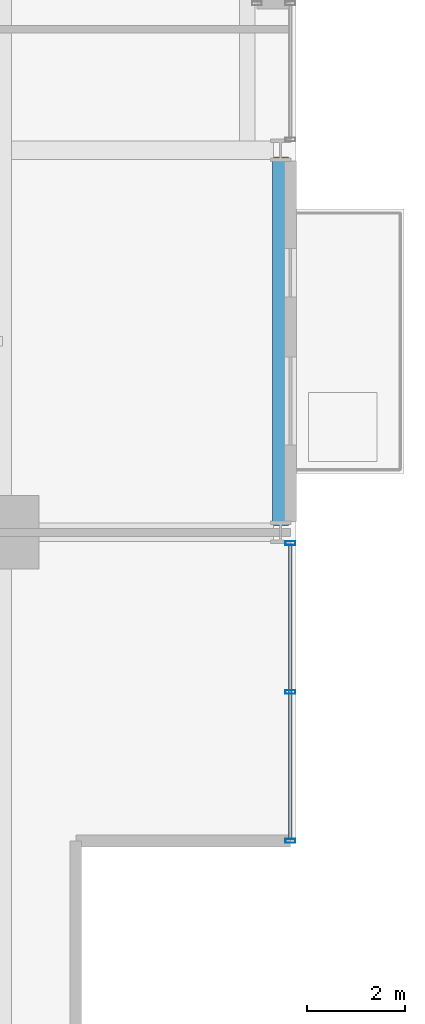
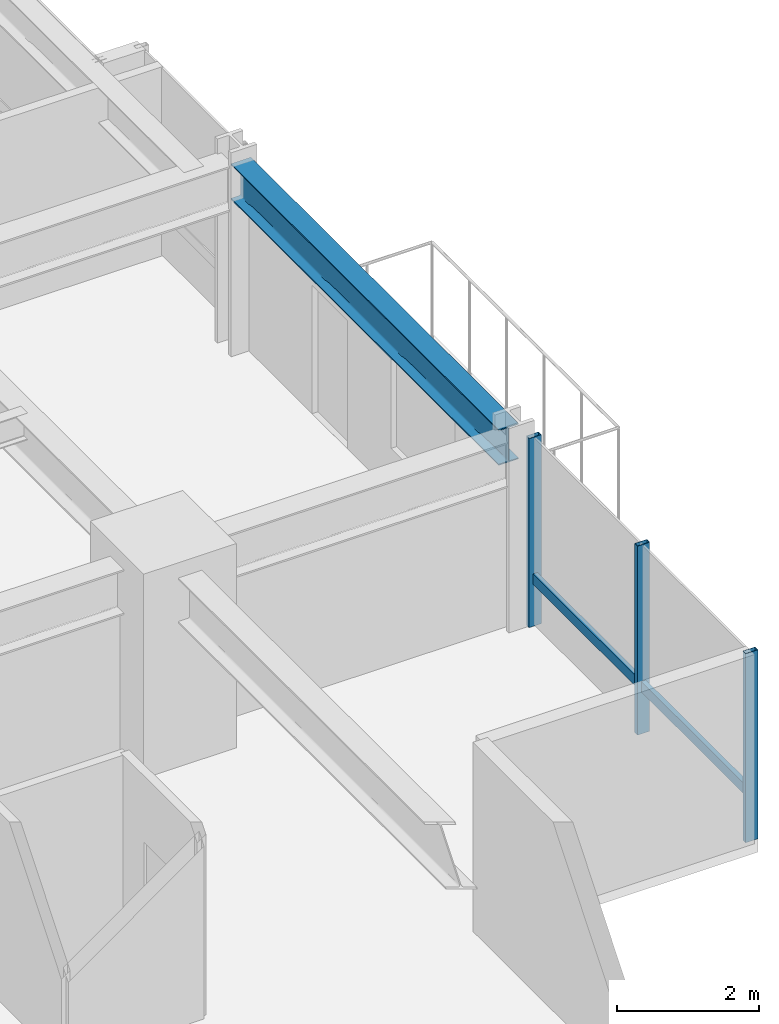
# One storey, part 13 of 34: 4 members, 1 beam, 1 element without a shape of its own.
"""IFC4 building model written with IfcOpenShell, lengths in metres."""

from ifc_helpers import new_model, si_unit, direction, frame, origin, origin_2d, place, context, subcontext, project, spatial, hollow_rectangle, i_section, extrude, material, layer, layer_set, material_profile, profile_set, type_object, element, aggregate, save


model = new_model("IFC4")

# Units and contexts
model_context = context("Model", 3, precision=1e-05, world=origin(), true_north=direction((0.0, 1.0)))
body_context = subcontext(model_context, "Body", "Model", "MODEL_VIEW")
ifc_project = project(units=[si_unit("LENGTHUNIT", "METRE"), si_unit("AREAUNIT", "SQUARE_METRE"), si_unit("VOLUMEUNIT", "CUBIC_METRE"), si_unit("PLANEANGLEUNIT", "RADIAN"), si_unit("MASSUNIT", "GRAM", prefix="KILO")], contexts=[model_context])

# Site, building, storey
site_placement = place(None, origin())
site = spatial("IfcSite", under=ifc_project, at=site_placement, CompositionType="ELEMENT")
building_placement = place(site_placement, origin())
building = spatial("IfcBuilding", under=site, at=building_placement, Name="Drelvath Grand Hotel", CompositionType="ELEMENT")
storey_placement = place(building_placement, frame((0.0, 0.0, 116.300048828125)))
storey = spatial("IfcBuildingStorey", under=building, at=storey_placement, Name="L29", CompositionType="ELEMENT", Elevation=116.300048828125)

# Curtain wall, members
ifc_material_1 = material(Name="Champagne Bronze Anodised Aluminium Frame", Category="aluminium")
ifc_layer = layer(ifc_material_1, 0.199951171875)
ifc_layer_set = layer_set([ifc_layer], Name="Champagne Bronze Anodised Aluminium Frame")
curtain_wall_type = type_object("IfcCurtainWallType", Name="Stick Curtain Wall CW-03 Champagne Bronze Mid-Rise", PredefinedType="NOTDEFINED", material=ifc_layer_set)
curtain_wall_placement = place(storey_placement, origin())
curtain_wall = element("IfcCurtainWall", 1, at=curtain_wall_placement, inside=storey, type_object=curtain_wall_type, Name="L29 CW-03 Curtain Wall CW03-L29-ES1", PredefinedType="NOTDEFINED")
ifc_material_profile_1 = material_profile(ifc_material_1, hollow_rectangle(XDim=0.074951171875, YDim=0.179931640625, WallThickness=0.0048828125, at=origin_2d()), Name="HSS180X75X5")
ifc_profile_set_1 = profile_set([ifc_material_profile_1], Name="Champagne Bronze Anodised Aluminium Frame")
member_type_1 = type_object("IfcMemberType", Name="Curtain Wall Horizontal Transom CW-03 HSS180X75X5", PredefinedType="USERDEFINED", material=ifc_profile_set_1)
member_1_placement = place(storey_placement, frame((22.080078125, 10.540283203125, 0.81005859375), z_axis=(0.0, -1.0, 0.0), x_axis=(1.0, 0.0, 0.0)))
member_1 = element("IfcMember", 2, at=member_1_placement, type_object=member_type_1, Name="CW03-L29-ES1 Sill Transom", ObjectType="TRANSOM", PredefinedType="USERDEFINED", context=body_context, shape_type="SweptSolid", body=[
    extrude(hollow_rectangle(XDim=0.074951171875, YDim=0.179931640625, WallThickness=0.0048828125, at=origin_2d()), origin(), (0.0, 0.0, 1.0), 6.000244140625),
])
ifc_material_profile_2 = material_profile(ifc_material_1, hollow_rectangle(XDim=0.080078125, YDim=0.199951171875, WallThickness=0.0048828125, at=origin_2d()), Name="HSS200X80X5")
ifc_profile_set_2 = profile_set([ifc_material_profile_2], Name="Champagne Bronze Anodised Aluminium Frame")
member_type_2 = type_object("IfcMemberType", Name="Curtain Wall Vertical Mullion CW-03 HSS200X80X5", PredefinedType="MULLION", material=ifc_profile_set_2)
member_2_placement = place(storey_placement, frame((22.080078125, 10.580322265625, 0.0), z_axis=(0.0, 0.0, 1.0), x_axis=(0.0, 1.0, 0.0)))
member_2 = element("IfcMember", 3, at=member_2_placement, type_object=member_type_2, Name="CW03-L29-ES1 Mullion 1", PredefinedType="MULLION", context=body_context, shape_type="SweptSolid", body=[
    extrude(hollow_rectangle(XDim=0.080078125, YDim=0.199951171875, WallThickness=0.0048828125, at=origin_2d()), origin(), (0.0, 0.0, 1.0), 3.239990234375),
])
member_3_placement = place(storey_placement, frame((22.080078125, 7.540283203125, 0.0), z_axis=(0.0, 0.0, 1.0), x_axis=(0.0, 1.0, 0.0)))
member_3 = element("IfcMember", 4, at=member_3_placement, type_object=member_type_2, Name="CW03-L29-ES1 Mullion 2", PredefinedType="MULLION", context=body_context, shape_type="SweptSolid", body=[
    extrude(hollow_rectangle(XDim=0.080078125, YDim=0.199951171875, WallThickness=0.0048828125, at=origin_2d()), origin(), (0.0, 0.0, 1.0), 3.239990234375),
])
member_4_placement = place(storey_placement, frame((22.080078125, 4.5, 0.0), z_axis=(0.0, 0.0, 1.0), x_axis=(0.0, 1.0, 0.0)))
member_4 = element("IfcMember", 5, at=member_4_placement, type_object=member_type_2, Name="CW03-L29-ES1 Mullion 3", PredefinedType="MULLION", context=body_context, shape_type="SweptSolid", body=[
    extrude(hollow_rectangle(XDim=0.080078125, YDim=0.199951171875, WallThickness=0.0048828125, at=origin_2d()), origin(), (0.0, 0.0, 1.0), 3.239990234375),
])
aggregate(curtain_wall, [member_2, member_3, member_4, member_1])

# Beam
ifc_material_2 = material(Name="Steel ASTM A992 Gr 50", Category="steel")
ifc_material_profile_3 = material_profile(ifc_material_2, i_section(OverallWidth=0.323974609375, OverallDepth=0.611083984375, WebThickness=0.0126953125, FlangeThickness=0.01904296875, FilletRadius=0.02197265625, at=origin_2d()), Name="W24X104")
ifc_profile_set_3 = profile_set([ifc_material_profile_3], Name="Steel ASTM A992 Gr 50")
beam_type = type_object("IfcBeamType", Name="Perimeter Spandrel Beam W24X104", PredefinedType="SPANDREL", material=ifc_profile_set_3)
beam_placement = place(storey_placement, frame((21.8798828125, 10.93994140625, 2.9345703125), z_axis=(0.0, 1.0, 0.0), x_axis=(-1.0, 0.0, 0.0)))
element("IfcBeam", 6, at=beam_placement, inside=storey, type_object=beam_type, Name="L29 Spandrel East S", PredefinedType="SPANDREL", context=body_context, shape_type="SweptSolid", body=[
    extrude(i_section(OverallWidth=0.323974609375, OverallDepth=0.611083984375, WebThickness=0.0126953125, FlangeThickness=0.01904296875, FilletRadius=0.02197265625, at=origin_2d()), origin(), (0.0, 0.0, 1.0), 7.52001953125),
])

save(model, "model.ifc")
